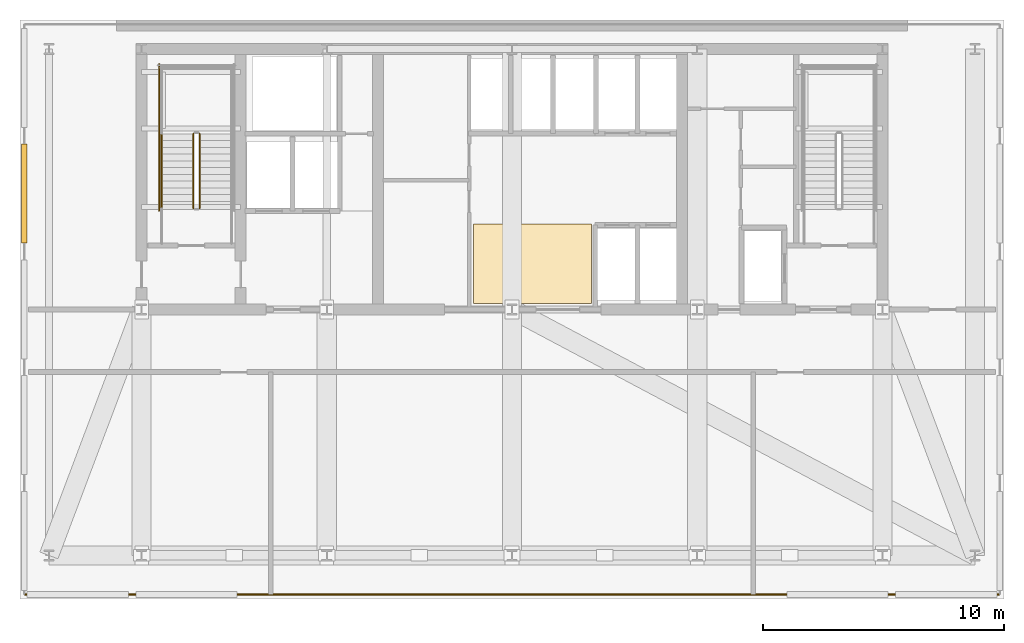
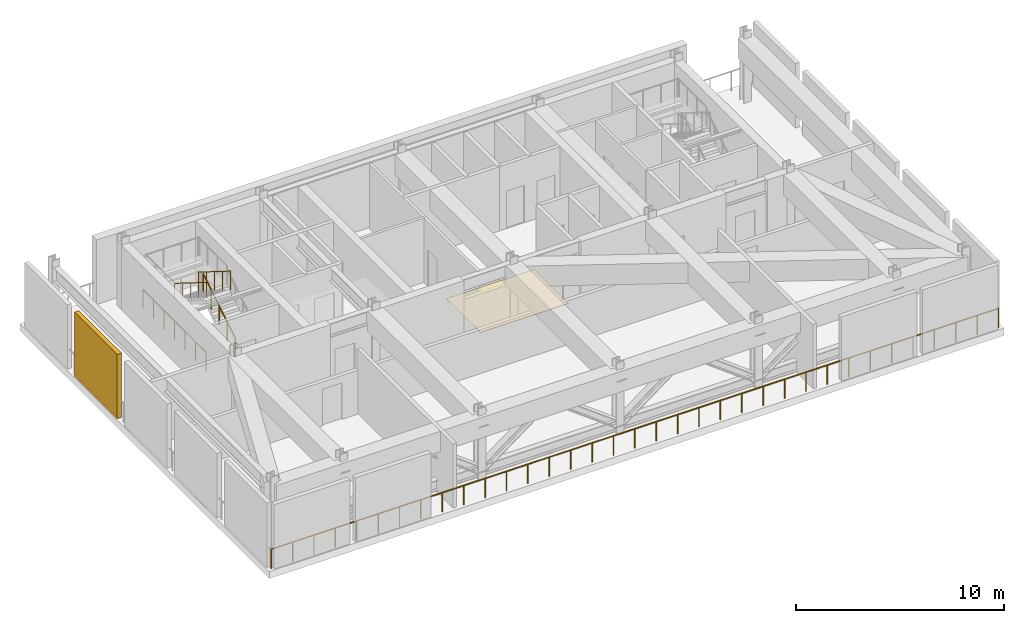
# One storey, part 5 of 8: 5 railings, 1 covering, 1 shading device.
"""IFC4 building model written with IfcOpenShell, lengths in metres."""

from ifc_helpers import new_model, si_unit, direction, frame, origin, origin_2d, place, context, subcontext, project, spatial, polyline, rectangle, circle, outline, extrude, material, layer, layer_set, type_object, element, save


model = new_model("IFC4")

# Units and contexts
model_context = context("Model", 3, precision=1e-05, world=origin(), true_north=direction((0.0, 1.0)))
body_context = subcontext(model_context, "Body", "Model", "MODEL_VIEW")
ifc_project = project(units=[si_unit("LENGTHUNIT", "METRE"), si_unit("AREAUNIT", "SQUARE_METRE"), si_unit("VOLUMEUNIT", "CUBIC_METRE"), si_unit("PLANEANGLEUNIT", "RADIAN"), si_unit("MASSUNIT", "GRAM", prefix="KILO")], contexts=[model_context])

# Site, building, storey
site_placement = place(None, origin())
site = spatial("IfcSite", under=ifc_project, at=site_placement, CompositionType="ELEMENT")
building_placement = place(site_placement, origin())
building = spatial("IfcBuilding", under=site, at=building_placement, Name="Yelkora Congress Tower", CompositionType="ELEMENT")
storey_placement = place(building_placement, frame((0.0, 0.0, 200.300048828125)))
storey = spatial("IfcBuildingStorey", under=building, at=storey_placement, Name="L55", CompositionType="ELEMENT", Elevation=200.300048828125)

# Covering
ifc_material_1 = material(Name="Polished Anatolian grey granite tile", Category="masonry")
ifc_layer_1 = layer(ifc_material_1, 0.02001953125)
ifc_layer_set_1 = layer_set([ifc_layer_1], Name="Polished Anatolian grey granite tile")
covering_type = type_object("IfcCoveringType", Name="COV-FLOOR-GRANITE-20", PredefinedType="FLOORING", material=ifc_layer_set_1)
covering_placement = place(storey_placement, origin())
element("IfcCovering", 1, at=covering_placement, inside=storey, type_object=covering_type, Name="L55 Lift Lobby Granite Flooring", PredefinedType="FLOORING", context=body_context, shape_type="SweptSolid", body=[
    extrude(outline(polyline([(36.800048828125, 35.64990234375), (41.699951171875, 35.64990234375), (41.699951171875, 38.949951171875), (36.800048828125, 38.949951171875), (36.800048828125, 35.64990234375)])), origin(), (0.0, 0.0, 1.0), 0.02001953125),
])

# Railings
ifc_material_2 = material(Name="Stainless steel 316L and laminated glass infill", Category="steel")
ifc_layer_2 = layer(ifc_material_2, 0.080078125)
ifc_layer_set_2 = layer_set([ifc_layer_2], Name="Stainless steel 316L and laminated glass infill")
railing_type_1 = type_object("IfcRailingType", Name="RAIL-EXT-GUARD-1150", PredefinedType="GUARDRAIL", material=ifc_layer_set_2)
railing_1_placement = place(storey_placement, frame((18.199951171875, 23.580078125, 0.0)))
element("IfcRailing", 2, at=railing_1_placement, inside=storey, type_object=railing_type_1, Name="L55 Wind-Floor South Guardrail", PredefinedType="GUARDRAIL", context=body_context, shape_type="SweptSolid", body=[
    extrude(circle(Radius=0.02392578125, at=origin_2d()), frame((0.0, 0.0, 1.1259765625), z_axis=(1.0, 0.0, 0.0), x_axis=(0.0, 1.0, 0.0)), (0.0, 0.0, 1.0), 40.400146484375),
    extrude(circle(Radius=0.02099609375, at=origin_2d()), origin(), (0.0, 0.0, 1.0), 1.101806640625),
    extrude(circle(Radius=0.02099609375, at=origin_2d()), frame((1.188232421875, 0.0, 0.0)), (0.0, 0.0, 1.0), 1.101806640625),
    extrude(circle(Radius=0.02099609375, at=origin_2d()), frame((2.37646484375, 0.0, 0.0)), (0.0, 0.0, 1.0), 1.101806640625),
    extrude(circle(Radius=0.02099609375, at=origin_2d()), frame((3.564697265625, 0.0, 0.0)), (0.0, 0.0, 1.0), 1.101806640625),
    extrude(circle(Radius=0.02099609375, at=origin_2d()), frame((4.7529296875, 0.0, 0.0)), (0.0, 0.0, 1.0), 1.101806640625),
    extrude(circle(Radius=0.02099609375, at=origin_2d()), frame((5.941162109375, 0.0, 0.0)), (0.0, 0.0, 1.0), 1.101806640625),
    extrude(circle(Radius=0.02099609375, at=origin_2d()), frame((7.12939453125, 0.0, 0.0)), (0.0, 0.0, 1.0), 1.101806640625),
    extrude(circle(Radius=0.02099609375, at=origin_2d()), frame((8.317626953125, 0.0, 0.0)), (0.0, 0.0, 1.0), 1.101806640625),
    extrude(circle(Radius=0.02099609375, at=origin_2d()), frame((9.505859375, 0.0, 0.0)), (0.0, 0.0, 1.0), 1.101806640625),
    extrude(circle(Radius=0.02099609375, at=origin_2d()), frame((10.694091796875, 0.0, 0.0)), (0.0, 0.0, 1.0), 1.101806640625),
    extrude(circle(Radius=0.02099609375, at=origin_2d()), frame((11.88232421875, 0.0, 0.0)), (0.0, 0.0, 1.0), 1.101806640625),
    extrude(circle(Radius=0.02099609375, at=origin_2d()), frame((13.070556640625, 0.0, 0.0)), (0.0, 0.0, 1.0), 1.101806640625),
    extrude(circle(Radius=0.02099609375, at=origin_2d()), frame((14.2587890625, 0.0, 0.0)), (0.0, 0.0, 1.0), 1.101806640625),
    extrude(circle(Radius=0.02099609375, at=origin_2d()), frame((15.447021484375, 0.0, 0.0)), (0.0, 0.0, 1.0), 1.101806640625),
    extrude(circle(Radius=0.02099609375, at=origin_2d()), frame((16.63525390625, 0.0, 0.0)), (0.0, 0.0, 1.0), 1.101806640625),
    extrude(circle(Radius=0.02099609375, at=origin_2d()), frame((17.823486328125, 0.0, 0.0)), (0.0, 0.0, 1.0), 1.101806640625),
    extrude(circle(Radius=0.02099609375, at=origin_2d()), frame((19.01171875, 0.0, 0.0)), (0.0, 0.0, 1.0), 1.101806640625),
    extrude(circle(Radius=0.02099609375, at=origin_2d()), frame((20.2001953125, 0.0, 0.0)), (0.0, 0.0, 1.0), 1.101806640625),
    extrude(circle(Radius=0.02099609375, at=origin_2d()), frame((21.388427734375, 0.0, 0.0)), (0.0, 0.0, 1.0), 1.101806640625),
    extrude(circle(Radius=0.02099609375, at=origin_2d()), frame((22.57666015625, 0.0, 0.0)), (0.0, 0.0, 1.0), 1.101806640625),
    extrude(circle(Radius=0.02099609375, at=origin_2d()), frame((23.764892578125, 0.0, 0.0)), (0.0, 0.0, 1.0), 1.101806640625),
    extrude(circle(Radius=0.02099609375, at=origin_2d()), frame((24.953125, 0.0, 0.0)), (0.0, 0.0, 1.0), 1.101806640625),
    extrude(circle(Radius=0.02099609375, at=origin_2d()), frame((26.141357421875, 0.0, 0.0)), (0.0, 0.0, 1.0), 1.101806640625),
    extrude(circle(Radius=0.02099609375, at=origin_2d()), frame((27.32958984375, 0.0, 0.0)), (0.0, 0.0, 1.0), 1.101806640625),
    extrude(circle(Radius=0.02099609375, at=origin_2d()), frame((28.517822265625, 0.0, 0.0)), (0.0, 0.0, 1.0), 1.101806640625),
    extrude(circle(Radius=0.02099609375, at=origin_2d()), frame((29.7060546875, 0.0, 0.0)), (0.0, 0.0, 1.0), 1.101806640625),
    extrude(circle(Radius=0.02099609375, at=origin_2d()), frame((30.894287109375, 0.0, 0.0)), (0.0, 0.0, 1.0), 1.101806640625),
    extrude(circle(Radius=0.02099609375, at=origin_2d()), frame((32.08251953125, 0.0, 0.0)), (0.0, 0.0, 1.0), 1.101806640625),
    extrude(circle(Radius=0.02099609375, at=origin_2d()), frame((33.270751953125, 0.0, 0.0)), (0.0, 0.0, 1.0), 1.101806640625),
    extrude(circle(Radius=0.02099609375, at=origin_2d()), frame((34.458984375, 0.0, 0.0)), (0.0, 0.0, 1.0), 1.101806640625),
    extrude(circle(Radius=0.02099609375, at=origin_2d()), frame((35.647216796875, 0.0, 0.0)), (0.0, 0.0, 1.0), 1.101806640625),
    extrude(circle(Radius=0.02099609375, at=origin_2d()), frame((36.83544921875, 0.0, 0.0)), (0.0, 0.0, 1.0), 1.101806640625),
    extrude(circle(Radius=0.02099609375, at=origin_2d()), frame((38.023681640625, 0.0, 0.0)), (0.0, 0.0, 1.0), 1.101806640625),
    extrude(circle(Radius=0.02099609375, at=origin_2d()), frame((39.2119140625, 0.0, 0.0)), (0.0, 0.0, 1.0), 1.101806640625),
    extrude(circle(Radius=0.02099609375, at=origin_2d()), frame((40.400146484375, 0.0, 0.0)), (0.0, 0.0, 1.0), 1.101806640625),
])
ifc_material_3 = material(Name="Painted galvanised steel stair well guard with vertical infill", Category="steel")
ifc_layer_3 = layer(ifc_material_3, 0.06005859375)
ifc_layer_set_3 = layer_set([ifc_layer_3], Name="Painted galvanised steel stair well guard with vertical infill")
railing_type_2 = type_object("IfcRailingType", Name="RAIL-STAIR-GUARD-1120", PredefinedType="GUARDRAIL", material=ifc_layer_set_3)
railing_2_placement = place(storey_placement, frame((25.449951171875, 39.60009765625, 0.175048828125)))
element("IfcRailing", 3, at=railing_2_placement, inside=storey, type_object=railing_type_2, Name="ST-01 L55 Stair Well Guardrail 1", PredefinedType="GUARDRAIL", context=body_context, shape_type="SweptSolid", body=[
    extrude(circle(Radius=0.02392578125, at=origin_2d()), frame((0.0, 0.0, 1.09619140625), z_axis=(0.0, 0.848009633417, 0.529980812513), x_axis=(-1.0, 0.0, 0.0)), (0.0, 0.0, 1.0), 3.6318359375),
    extrude(circle(Radius=0.02099609375, at=origin_2d()), origin(), (0.0, 0.0, 1.0), 1.072021484375),
    extrude(circle(Radius=0.02099609375, at=origin_2d()), frame((0.0, 0.77001953125, 0.481201171875)), (0.0, 0.0, 1.0), 1.072021484375),
    extrude(circle(Radius=0.02099609375, at=origin_2d()), frame((0.0, 1.5400390625, 0.96240234375)), (0.0, 0.0, 1.0), 1.072021484375),
    extrude(circle(Radius=0.02099609375, at=origin_2d()), frame((0.0, 2.309814453125, 1.443603515625)), (0.0, 0.0, 1.0), 1.072021484375),
    extrude(circle(Radius=0.02099609375, at=origin_2d()), frame((0.0, 3.079833984375, 1.9248046875)), (0.0, 0.0, 1.0), 1.072021484375),
])
railing_3_placement = place(storey_placement, frame((25.18994140625, 42.679931640625, 2.27490234375)))
element("IfcRailing", 4, at=railing_3_placement, inside=storey, type_object=railing_type_2, Name="ST-01 L55 Stair Well Guardrail 6", PredefinedType="GUARDRAIL", context=body_context, shape_type="SweptSolid", body=[
    extrude(circle(Radius=0.02392578125, at=origin_2d()), frame((0.0, 0.0, 1.09619140625), z_axis=(0.0, -0.847979421464, 0.530029150871), x_axis=(1.0, 0.0, 0.0)), (0.0, 0.0, 1.0), 3.632080078125),
    extrude(circle(Radius=0.02099609375, at=origin_2d()), origin(), (0.0, 0.0, 1.0), 1.072021484375),
    extrude(circle(Radius=0.02099609375, at=origin_2d()), frame((0.0, -0.77001953125, 0.481201171875)), (0.0, 0.0, 1.0), 1.072021484375),
    extrude(circle(Radius=0.02099609375, at=origin_2d()), frame((0.0, -1.5400390625, 0.96240234375)), (0.0, 0.0, 1.0), 1.072021484375),
    extrude(circle(Radius=0.02099609375, at=origin_2d()), frame((0.0, -2.309814453125, 1.44384765625)), (0.0, 0.0, 1.0), 1.072021484375),
    extrude(circle(Radius=0.02099609375, at=origin_2d()), frame((0.0, -3.079833984375, 1.925048828125)), (0.0, 0.0, 1.0), 1.072021484375),
])
railing_4_placement = place(storey_placement, frame((23.77001953125, 39.5, 0.0)))
element("IfcRailing", 5, at=railing_4_placement, inside=storey, type_object=railing_type_2, Name="ST-01 L55 Stair Well Guardrail 11", PredefinedType="GUARDRAIL", context=body_context, shape_type="SweptSolid", body=[
    extrude(circle(Radius=0.02392578125, at=origin_2d()), frame((0.0, 0.0, 1.09619140625), z_axis=(0.0, 1.0, 0.0), x_axis=(-1.0, 0.0, 0.0)), (0.0, 0.0, 1.0), 6.070068359375),
    extrude(circle(Radius=0.02099609375, at=origin_2d()), origin(), (0.0, 0.0, 1.0), 1.072021484375),
    extrude(circle(Radius=0.02099609375, at=origin_2d()), frame((0.0, 1.01171875, 0.0)), (0.0, 0.0, 1.0), 1.072021484375),
    extrude(circle(Radius=0.02099609375, at=origin_2d()), frame((0.0, 2.0234375, 0.0)), (0.0, 0.0, 1.0), 1.072021484375),
    extrude(circle(Radius=0.02099609375, at=origin_2d()), frame((0.0, 3.03515625, 0.0)), (0.0, 0.0, 1.0), 1.072021484375),
    extrude(circle(Radius=0.02099609375, at=origin_2d()), frame((0.0, 4.046630859375, 0.0)), (0.0, 0.0, 1.0), 1.072021484375),
    extrude(circle(Radius=0.02099609375, at=origin_2d()), frame((0.0, 5.058349609375, 0.0)), (0.0, 0.0, 1.0), 1.072021484375),
    extrude(circle(Radius=0.02099609375, at=origin_2d()), frame((0.0, 6.070068359375, 0.0)), (0.0, 0.0, 1.0), 1.072021484375),
])
ifc_material_4 = material(Name="Brushed stainless steel tubular handrail", Category="steel")
ifc_layer_4 = layer(ifc_material_4, 0.050048828125)
ifc_layer_set_4 = layer_set([ifc_layer_4], Name="Brushed stainless steel tubular handrail")
railing_type_3 = type_object("IfcRailingType", Name="RAIL-STAIR-HAND-920", PredefinedType="HANDRAIL", material=ifc_layer_set_4)
railing_5_placement = place(storey_placement, frame((23.8701171875, 42.679931640625, 2.27490234375)))
element("IfcRailing", 6, at=railing_5_placement, inside=storey, type_object=railing_type_3, Name="ST-01 L55 Pitch Handrail 2", PredefinedType="HANDRAIL", context=body_context, shape_type="SweptSolid", body=[
    extrude(circle(Radius=0.02392578125, at=origin_2d()), frame((0.0, 0.0, 0.89599609375), z_axis=(0.0, -0.847979421464, 0.530029150871), x_axis=(1.0, 0.0, 0.0)), (0.0, 0.0, 1.0), 3.632080078125),
    extrude(circle(Radius=0.02099609375, at=origin_2d()), origin(), (0.0, 0.0, 1.0), 0.871826171875),
    extrude(circle(Radius=0.02099609375, at=origin_2d()), frame((0.0, -0.77001953125, 0.481201171875)), (0.0, 0.0, 1.0), 0.871826171875),
    extrude(circle(Radius=0.02099609375, at=origin_2d()), frame((0.0, -1.5400390625, 0.96240234375)), (0.0, 0.0, 1.0), 0.871826171875),
    extrude(circle(Radius=0.02099609375, at=origin_2d()), frame((0.0, -2.309814453125, 1.44384765625)), (0.0, 0.0, 1.0), 0.871826171875),
    extrude(circle(Radius=0.02099609375, at=origin_2d()), frame((0.0, -3.079833984375, 1.925048828125)), (0.0, 0.0, 1.0), 0.871826171875),
])

# Shading device
ifc_material_5 = material(Name="Perforated anodised aluminium louvre", Category="aluminium")
ifc_layer_5 = layer(ifc_material_5, 3.39990234375)
ifc_layer_set_5 = layer_set([ifc_layer_5], Name="Perforated anodised aluminium louvre")
shading_device_type = type_object("IfcShadingDeviceType", Name="SHD-LOUVRE-WIND", PredefinedType="JALOUSIE", material=ifc_layer_set_5)
shading_device_placement = place(storey_placement, frame((18.179931640625, 40.199951171875, 0.0), z_axis=(0.0, 0.0, 1.0), x_axis=(1.0, 0.0, 0.0)))
element("IfcShadingDevice", 7, at=shading_device_placement, inside=storey, type_object=shading_device_type, Name="L55 Acoustic Wind-Floor Louvre Screen W4", PredefinedType="JALOUSIE", context=body_context, shape_type="SweptSolid", body=[
    extrude(rectangle(XDim=0.239990234375, YDim=4.10009765625, at=origin_2d()), origin(), (0.0, 0.0, 1.0), 3.780029296875),
])

save(model, "model.ifc")
